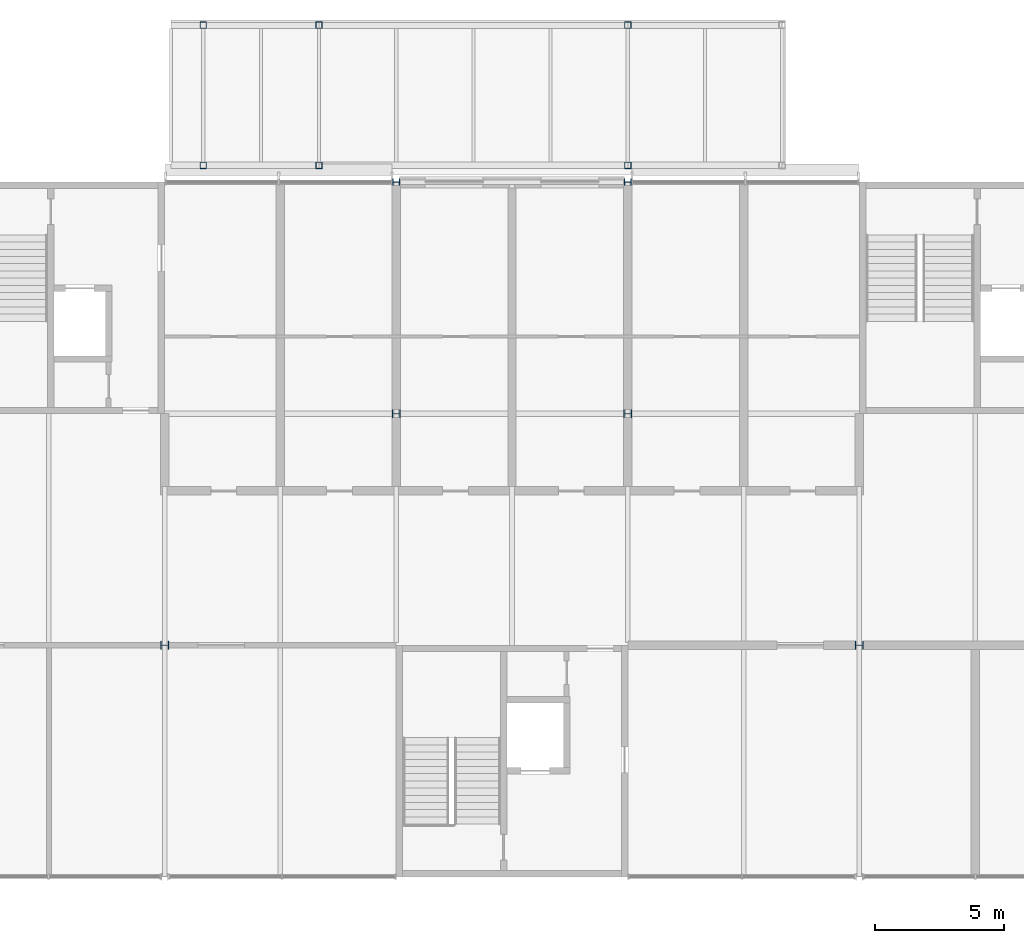
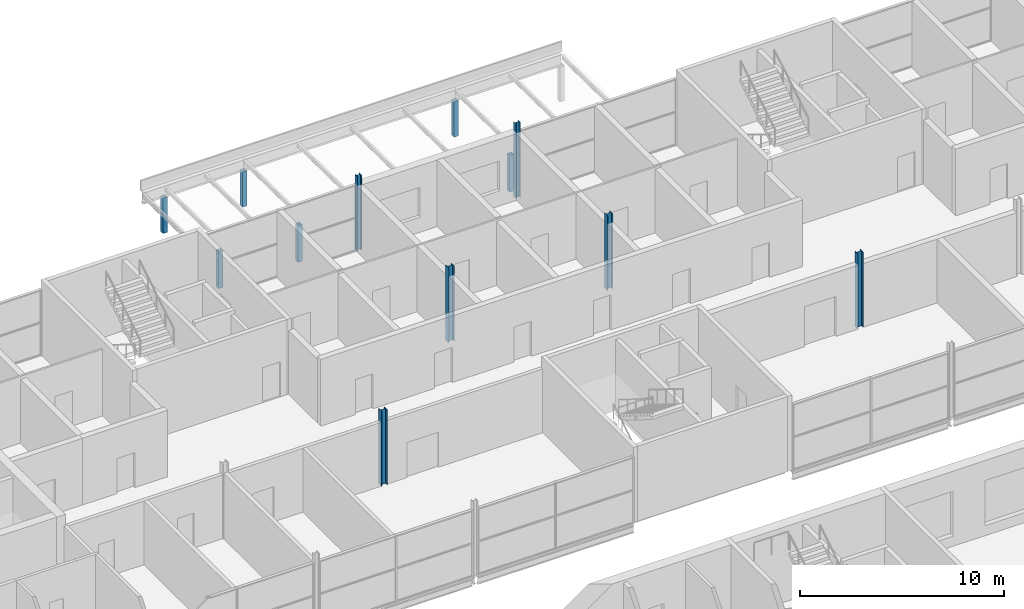
# One storey, part 18 of 97: 12 columns.
"""IFC4 building model written with IfcOpenShell, lengths in metres."""

import ifcopenshell
import ifcopenshell.guid

model = None  # the IFC model being written
_history = None  # IfcOwnerHistory: only IFC2X3 demands one
_inside = {}  # id of a spatial element -> (the spatial element, [elements in it])
_under = {}  # id of a project, library or spatial element -> (it, [spatial elements below it])
_declared = {}  # id of a project -> (the project, [libraries it declares])
_typed = {}  # id of a type object -> (the type object, [elements of that type])
_made_of = {}  # id of a material, layer set ... -> (it, [elements and type objects made of it])


def new_model(schema):
    """Start an empty IFC model of exactly this schema.

    Asked for "IFC4X3", IfcOpenShell would pick the latest addendum, in which some entities
    have other attributes; the version numbers below select the first issue.
    IFC2X3 requires an IfcOwnerHistory on every rooted entity: one is made here for all.
    """
    global model, _history
    if schema == "IFC4X3":
        model = ifcopenshell.file(schema_version=(4, 3, 0, 0))
    else:
        model = ifcopenshell.file(schema=schema)
    _inside.clear()
    _under.clear()
    _declared.clear()
    _typed.clear()
    _made_of.clear()
    _history = None
    if model.schema == "IFC2X3":
        org = make("IfcOrganization", Name="unknown")
        user = make(
            "IfcPersonAndOrganization",
            ThePerson=make("IfcPerson", FamilyName="unknown"),
            TheOrganization=org,
        )
        app = make(
            "IfcApplication",
            ApplicationDeveloper=org,
            Version="unknown",
            ApplicationFullName="unknown",
            ApplicationIdentifier="unknown",
        )
        _history = make(
            "IfcOwnerHistory",
            OwningUser=user,
            OwningApplication=app,
            ChangeAction="ADDED",
            CreationDate=0,
        )
    return model


def make(cls, **values):
    """One entity of the class cls with the attributes given. An attribute that is None is left unset."""
    return model.create_entity(
        cls, **{name: value for name, value in values.items() if value is not None}
    )


def rooted(cls, **values):
    """An entity with a GlobalId (a new one), such as an element, a storey or a relation."""
    return make(cls, GlobalId=ifcopenshell.guid.new(), OwnerHistory=_history, **values)


def si_unit(unit_type, name, prefix=None):
    """IfcSIUnit, for example si_unit("LENGTHUNIT", "METRE", prefix="MILLI")."""
    return make("IfcSIUnit", UnitType=unit_type, Prefix=prefix, Name=name)


def assignment(units):
    """IfcUnitAssignment: the units of a project."""
    return None if units is None else make("IfcUnitAssignment", Units=units)


def point(xyz):
    """IfcCartesianPoint."""
    return None if xyz is None else make("IfcCartesianPoint", Coordinates=xyz)


def direction(xyz):
    """IfcDirection."""
    return None if xyz is None else make("IfcDirection", DirectionRatios=xyz)


def frame(location, z_axis=None, x_axis=None):
    """IfcAxis2Placement3D, a coordinate frame: its origin and axes. An axis left out is left unset."""
    return make(
        "IfcAxis2Placement3D",
        Location=point(location),
        Axis=direction(z_axis),
        RefDirection=direction(x_axis),
    )


def frame_2d(location, x_axis=None):
    """IfcAxis2Placement2D, a coordinate frame in the plane: its origin and x axis."""
    return make(
        "IfcAxis2Placement2D", Location=point(location), RefDirection=direction(x_axis)
    )


def origin():
    """The frame at (0, 0, 0) with its axes left unset."""
    return frame((0.0, 0.0, 0.0))


def origin_2d():
    """The frame at (0, 0) in the plane with its x axis left unset."""
    return frame_2d((0.0, 0.0))


def place(relative_to, where):
    """IfcLocalPlacement: puts the frame where relative to a parent placement (None: the world)."""
    return make(
        "IfcLocalPlacement", PlacementRelTo=relative_to, RelativePlacement=where
    )


def context(
    kind, dimensions, precision=None, world=None, true_north=None, identifier=None
):
    """IfcGeometricRepresentationContext, for example the 3D "Model" context."""
    return make(
        "IfcGeometricRepresentationContext",
        ContextIdentifier=identifier,
        ContextType=kind,
        CoordinateSpaceDimension=dimensions,
        Precision=precision,
        WorldCoordinateSystem=world,
        TrueNorth=true_north,
    )


def subcontext(parent, identifier, kind, view, scale=None):
    """IfcGeometricRepresentationSubContext, for example "Body" below "Model"."""
    return make(
        "IfcGeometricRepresentationSubContext",
        ContextIdentifier=identifier,
        ContextType=kind,
        ParentContext=parent,
        TargetScale=scale,
        TargetView=view,
    )


def project(units=None, contexts=None):
    """IfcProject with its units and contexts."""
    return rooted(
        "IfcProject",
        Name="project",
        RepresentationContexts=contexts,
        UnitsInContext=assignment(units),
    )


def spatial(cls, under=None, at=None, **own):
    """A site, building, storey or space (cls), placed at a placement, below another one or the project."""
    s = rooted(cls, ObjectPlacement=at, **own)
    if under is not None:
        _under.setdefault(under.id(), (under, []))[1].append(s)
    return s


def profile(cls, at=None, kind="AREA", **sizes):
    """A parametric profile (cls). Its sizes go by their IFC names, for example OverallWidth=200.0."""
    return make(cls, ProfileType=kind, Position=at, **sizes)


def hollow_rectangle(**sizes):
    """IfcRectangleHollowProfileDef."""
    return profile("IfcRectangleHollowProfileDef", **sizes)


def i_section(**sizes):
    """IfcIShapeProfileDef."""
    return profile("IfcIShapeProfileDef", **sizes)


def extrude(swept, where, along, depth):
    """IfcExtrudedAreaSolid: the profile swept, set in the frame where, extruded along a direction by depth."""
    return make(
        "IfcExtrudedAreaSolid",
        SweptArea=swept,
        Position=where,
        ExtrudedDirection=direction(along),
        Depth=depth,
    )


def shape(context_of_items, identifier, shape_type, items):
    """IfcShapeRepresentation: the items that make up one representation, for example the "Body"."""
    return make(
        "IfcShapeRepresentation",
        ContextOfItems=context_of_items,
        RepresentationIdentifier=identifier,
        RepresentationType=shape_type,
        Items=items,
    )


def material(Name=None, Category=None):
    """IfcMaterial."""
    return make("IfcMaterial", Name=Name, Category=Category)


def material_profile(
    of_material, cross_section, Name=None, Category=None, Priority=None
):
    """IfcMaterialProfile: a cross section and its material."""
    return make(
        "IfcMaterialProfile",
        Name=Name,
        Material=of_material,
        Profile=cross_section,
        Priority=Priority,
        Category=Category,
    )


def profile_set(profiles, Name=None, composite=None):
    """IfcMaterialProfileSet."""
    return make(
        "IfcMaterialProfileSet",
        Name=Name,
        MaterialProfiles=profiles,
        CompositeProfile=composite,
    )


def made_of(thing, what):
    """Note that an element or type object is made of a material, layer set ...; save() writes the relation."""
    if what is not None:
        _made_of.setdefault(what.id(), (what, []))[1].append(thing)
    return thing


def type_object(cls, material=None, **own):
    """A type object (cls), such as IfcWallType, which elements share."""
    return made_of(rooted(cls, **own), material)


def element(
    cls,
    number,
    at=None,
    inside=None,
    cuts=None,
    type_object=None,
    material=None,
    context=None,
    identifier="Body",
    shape_type=None,
    held_by="IfcProductDefinitionShape",
    body=None,
    shapes=None,
    **own,
):
    """One element of the class cls, such as IfcWall. Its Tag is "e" and its number.

    at: its placement. inside: the storey or other place that contains it. cuts: it is an
    opening in that element (IfcRelVoidsElement). A single representation is given by context,
    identifier, shape_type and body (its items); several are given by shapes. held_by: the class
    of the entity that holds the representations. save() writes the other relations.
    """
    e = rooted(cls, Tag="e%d" % number, ObjectPlacement=at, **own)
    if body is not None:
        shapes = [shape(context, identifier, shape_type, body)]
    if shapes is not None:
        e.Representation = make(held_by, Representations=shapes)
    if inside is not None:
        _inside.setdefault(inside.id(), (inside, []))[1].append(e)
    if cuts is not None:
        rooted(
            "IfcRelVoidsElement", RelatingBuildingElement=cuts, RelatedOpeningElement=e
        )
    if type_object is not None:
        _typed.setdefault(type_object.id(), (type_object, []))[1].append(e)
    return made_of(e, material)


def aggregate(whole, parts):
    """IfcRelAggregates: a whole, such as a stair, and the parts it consists of."""
    return rooted("IfcRelAggregates", RelatingObject=whole, RelatedObjects=parts)


def save(model, path):
    """Write the relations noted so far, then the file.

    IfcRelAggregates (storeys below a building ...), IfcRelContainedInSpatialStructure (elements
    in a storey), IfcRelDefinesByType, IfcRelAssociatesMaterial and IfcRelDeclares: one each for
    every whole, place, type object, material and project.
    """
    for whole, parts in _under.values():
        aggregate(whole, parts)
    for where, things in _inside.values():
        rooted(
            "IfcRelContainedInSpatialStructure",
            RelatedElements=things,
            RelatingStructure=where,
        )
    for kind, things in _typed.values():
        rooted("IfcRelDefinesByType", RelatedObjects=things, RelatingType=kind)
    for what, things in _made_of.values():
        rooted("IfcRelAssociatesMaterial", RelatedObjects=things, RelatingMaterial=what)
    for by, libraries in _declared.values():
        rooted("IfcRelDeclares", RelatingContext=by, RelatedDefinitions=libraries)
    model.write(path)


model = new_model("IFC4")

# Units and contexts
model_context = context("Model", 3, precision=1e-05, world=origin(), true_north=direction((0.0, 1.0)))
body_context = subcontext(model_context, "Body", "Model", "MODEL_VIEW")
ifc_project = project(units=[si_unit("LENGTHUNIT", "METRE"), si_unit("AREAUNIT", "SQUARE_METRE"), si_unit("VOLUMEUNIT", "CUBIC_METRE"), si_unit("PLANEANGLEUNIT", "RADIAN"), si_unit("MASSUNIT", "GRAM", prefix="KILO")], contexts=[model_context])

# Site, building, storey
site_placement = place(None, origin())
site = spatial("IfcSite", under=ifc_project, at=site_placement, CompositionType="ELEMENT")
building_placement = place(site_placement, origin())
building = spatial("IfcBuilding", under=site, at=building_placement, Name="Corbel Yard City Hall", CompositionType="ELEMENT")
storey_placement = place(building_placement, frame((0.0, 0.0, 6.0)))
storey = spatial("IfcBuildingStorey", under=building, at=storey_placement, Name="L01", CompositionType="ELEMENT", Elevation=6.0)

# Columns
ifc_material_1 = material(Name="Steel Grade 300 (300 MPa yield)", Category="steel")
ifc_material_profile_1 = material_profile(ifc_material_1, i_section(OverallWidth=0.256103515625, OverallDepth=0.260009765625, WebThickness=0.010498046875, FlangeThickness=0.017333984375, at=origin_2d()), Name="250UC89.5")
ifc_profile_set_1 = profile_set([ifc_material_profile_1], Name="Steel Grade 300 (300 MPa yield)")
column_type_1 = type_object("IfcColumnType", Name="Column 250UC89.5", PredefinedType="COLUMN", material=ifc_profile_set_1)
for number, where, z_axis, x_axis, name in (
    (1, (81.0, 117.0, 0.0), (0.0, 0.0, 1.0), (0.0, 1.0, 0.0), "Column 250UC89.5 N/10 L01"),
    (2, (90.0, 117.0, 0.0), (0.0, 0.0, 1.0), (0.0, 1.0, 0.0), "Column 250UC89.5 N/11 L01"),
):
    element("IfcColumn", number, at=place(storey_placement, frame(where, z_axis=z_axis, x_axis=x_axis)), inside=storey, type_object=column_type_1, Name=name, PredefinedType="COLUMN", context=body_context, shape_type="SweptSolid", body=[
        extrude(i_section(OverallWidth=0.256103515625, OverallDepth=0.260009765625, WebThickness=0.010498046875, FlangeThickness=0.017333984375, at=origin_2d()), origin(), (0.0, 0.0, 1.0), 4.5),
    ])
ifc_material_profile_2 = material_profile(ifc_material_1, i_section(OverallWidth=0.306884765625, OverallDepth=0.31494140625, WebThickness=0.011962890625, FlangeThickness=0.018798828125, at=origin_2d()), Name="310UC118")
ifc_profile_set_2 = profile_set([ifc_material_profile_2], Name="Steel Grade 300 (300 MPa yield)")
column_type_2 = type_object("IfcColumnType", Name="Column 310UC118", PredefinedType="COLUMN", material=ifc_profile_set_2)
for number, where, z_axis, x_axis, name in (
    (3, (72.0, 99.0, 0.0), (0.0, 0.0, 1.0), (0.0, 1.0, 0.0), "Column 310UC118 L/9 L01"),
    (4, (81.0, 108.0, 0.0), (0.0, 0.0, 1.0), (0.0, 1.0, 0.0), "Column 310UC118 M/10 L01"),
    (5, (90.0, 108.0, 0.0), (0.0, 0.0, 1.0), (0.0, 1.0, 0.0), "Column 310UC118 M/11 L01"),
    (6, (99.0, 99.0, 0.0), (0.0, 0.0, 1.0), (0.0, 1.0, 0.0), "Column 310UC118 L/12 L01"),
):
    element("IfcColumn", number, at=place(storey_placement, frame(where, z_axis=z_axis, x_axis=x_axis)), inside=storey, type_object=column_type_2, Name=name, PredefinedType="COLUMN", context=body_context, shape_type="SweptSolid", body=[
        extrude(i_section(OverallWidth=0.306884765625, OverallDepth=0.31494140625, WebThickness=0.011962890625, FlangeThickness=0.018798828125, at=origin_2d()), origin(), (0.0, 0.0, 1.0), 4.5),
    ])
ifc_material_2 = material(Name="Steel Grade C450L0", Category="steel")
ifc_material_profile_3 = material_profile(ifc_material_2, hollow_rectangle(XDim=0.25, YDim=0.25, WallThickness=0.012451171875, at=origin_2d()), Name="250x250x12.5SHS")
ifc_profile_set_3 = profile_set([ifc_material_profile_3], Name="Steel Grade C450L0")
column_type_3 = type_object("IfcColumnType", Name="Portico Column 250x250x12.5SHS", PredefinedType="COLUMN", material=ifc_profile_set_3)
for number, where, z_axis, x_axis, name in (
    (7, (73.5, 117.64990234375, 0.0), (0.0, 0.0, 1.0), (1.0, 0.0, 0.0), "Portico Column B01"),
    (8, (78.0, 117.64990234375, 0.0), (0.0, 0.0, 1.0), (1.0, 0.0, 0.0), "Portico Column B02"),
    (9, (90.0, 117.64990234375, 0.0), (0.0, 0.0, 1.0), (1.0, 0.0, 0.0), "Portico Column B03"),
):
    element("IfcColumn", number, at=place(storey_placement, frame(where, z_axis=z_axis, x_axis=x_axis)), inside=storey, type_object=column_type_3, Name=name, PredefinedType="COLUMN", context=body_context, shape_type="SweptSolid", body=[
        extrude(hollow_rectangle(XDim=0.25, YDim=0.25, WallThickness=0.012451171875, at=origin_2d()), origin(), (0.0, 0.0, 1.0), 2.199951171875),
    ])
for number, where, z_axis, x_axis, name in (
    (10, (73.5, 123.10009765625, 0.0), (0.0, 0.0, 1.0), (1.0, 0.0, 0.0), "Portico Column F01"),
    (11, (78.0, 123.10009765625, 0.0), (0.0, 0.0, 1.0), (1.0, 0.0, 0.0), "Portico Column F02"),
    (12, (90.0, 123.10009765625, 0.0), (0.0, 0.0, 1.0), (1.0, 0.0, 0.0), "Portico Column F03"),
):
    element("IfcColumn", number, at=place(storey_placement, frame(where, z_axis=z_axis, x_axis=x_axis)), inside=storey, type_object=column_type_3, Name=name, PredefinedType="COLUMN", context=body_context, shape_type="SweptSolid", body=[
        extrude(hollow_rectangle(XDim=0.25, YDim=0.25, WallThickness=0.012451171875, at=origin_2d()), origin(), (0.0, 0.0, 1.0), 2.1318359375),
    ])

save(model, "model.ifc")
